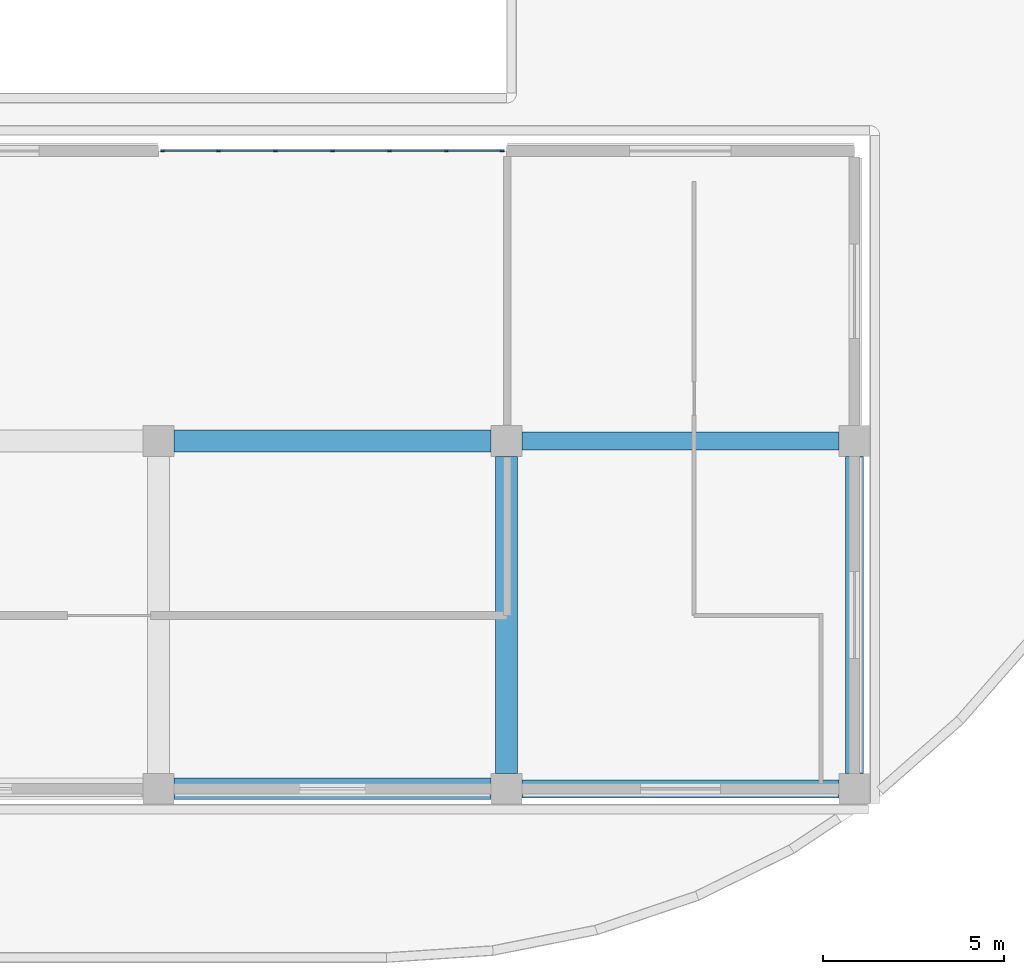
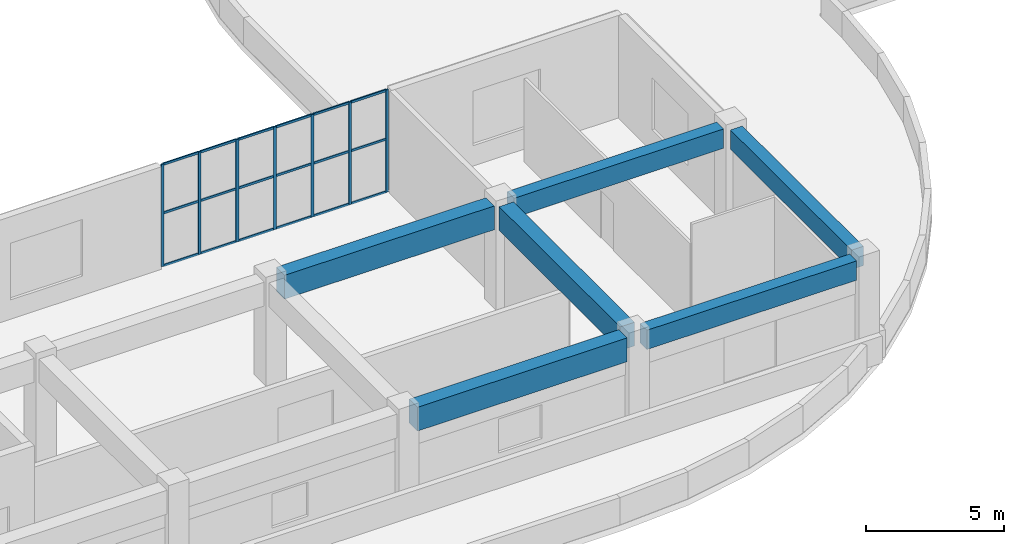
# One storey, part 16 of 67: 25 members, 6 beams, 1 element without a shape of its own.
"""IFC4 building model written with IfcOpenShell, lengths in metres."""

import ifcopenshell
import ifcopenshell.guid

model = None  # the IFC model being written
_history = None  # IfcOwnerHistory: only IFC2X3 demands one
_inside = {}  # id of a spatial element -> (the spatial element, [elements in it])
_under = {}  # id of a project, library or spatial element -> (it, [spatial elements below it])
_declared = {}  # id of a project -> (the project, [libraries it declares])
_typed = {}  # id of a type object -> (the type object, [elements of that type])
_made_of = {}  # id of a material, layer set ... -> (it, [elements and type objects made of it])


def new_model(schema):
    """Start an empty IFC model of exactly this schema.

    Asked for "IFC4X3", IfcOpenShell would pick the latest addendum, in which some entities
    have other attributes; the version numbers below select the first issue.
    IFC2X3 requires an IfcOwnerHistory on every rooted entity: one is made here for all.
    """
    global model, _history
    if schema == "IFC4X3":
        model = ifcopenshell.file(schema_version=(4, 3, 0, 0))
    else:
        model = ifcopenshell.file(schema=schema)
    _inside.clear()
    _under.clear()
    _declared.clear()
    _typed.clear()
    _made_of.clear()
    _history = None
    if model.schema == "IFC2X3":
        org = make("IfcOrganization", Name="unknown")
        user = make(
            "IfcPersonAndOrganization",
            ThePerson=make("IfcPerson", FamilyName="unknown"),
            TheOrganization=org,
        )
        app = make(
            "IfcApplication",
            ApplicationDeveloper=org,
            Version="unknown",
            ApplicationFullName="unknown",
            ApplicationIdentifier="unknown",
        )
        _history = make(
            "IfcOwnerHistory",
            OwningUser=user,
            OwningApplication=app,
            ChangeAction="ADDED",
            CreationDate=0,
        )
    return model


def make(cls, **values):
    """One entity of the class cls with the attributes given. An attribute that is None is left unset."""
    return model.create_entity(
        cls, **{name: value for name, value in values.items() if value is not None}
    )


def rooted(cls, **values):
    """An entity with a GlobalId (a new one), such as an element, a storey or a relation."""
    return make(cls, GlobalId=ifcopenshell.guid.new(), OwnerHistory=_history, **values)


def si_unit(unit_type, name, prefix=None):
    """IfcSIUnit, for example si_unit("LENGTHUNIT", "METRE", prefix="MILLI")."""
    return make("IfcSIUnit", UnitType=unit_type, Prefix=prefix, Name=name)


def assignment(units):
    """IfcUnitAssignment: the units of a project."""
    return None if units is None else make("IfcUnitAssignment", Units=units)


def point(xyz):
    """IfcCartesianPoint."""
    return None if xyz is None else make("IfcCartesianPoint", Coordinates=xyz)


def direction(xyz):
    """IfcDirection."""
    return None if xyz is None else make("IfcDirection", DirectionRatios=xyz)


def frame(location, z_axis=None, x_axis=None):
    """IfcAxis2Placement3D, a coordinate frame: its origin and axes. An axis left out is left unset."""
    return make(
        "IfcAxis2Placement3D",
        Location=point(location),
        Axis=direction(z_axis),
        RefDirection=direction(x_axis),
    )


def frame_2d(location, x_axis=None):
    """IfcAxis2Placement2D, a coordinate frame in the plane: its origin and x axis."""
    return make(
        "IfcAxis2Placement2D", Location=point(location), RefDirection=direction(x_axis)
    )


def origin():
    """The frame at (0, 0, 0) with its axes left unset."""
    return frame((0.0, 0.0, 0.0))


def origin_2d():
    """The frame at (0, 0) in the plane with its x axis left unset."""
    return frame_2d((0.0, 0.0))


def place(relative_to, where):
    """IfcLocalPlacement: puts the frame where relative to a parent placement (None: the world)."""
    return make(
        "IfcLocalPlacement", PlacementRelTo=relative_to, RelativePlacement=where
    )


def context(
    kind, dimensions, precision=None, world=None, true_north=None, identifier=None
):
    """IfcGeometricRepresentationContext, for example the 3D "Model" context."""
    return make(
        "IfcGeometricRepresentationContext",
        ContextIdentifier=identifier,
        ContextType=kind,
        CoordinateSpaceDimension=dimensions,
        Precision=precision,
        WorldCoordinateSystem=world,
        TrueNorth=true_north,
    )


def subcontext(parent, identifier, kind, view, scale=None):
    """IfcGeometricRepresentationSubContext, for example "Body" below "Model"."""
    return make(
        "IfcGeometricRepresentationSubContext",
        ContextIdentifier=identifier,
        ContextType=kind,
        ParentContext=parent,
        TargetScale=scale,
        TargetView=view,
    )


def project(units=None, contexts=None):
    """IfcProject with its units and contexts."""
    return rooted(
        "IfcProject",
        Name="project",
        RepresentationContexts=contexts,
        UnitsInContext=assignment(units),
    )


def spatial(cls, under=None, at=None, **own):
    """A site, building, storey or space (cls), placed at a placement, below another one or the project."""
    s = rooted(cls, ObjectPlacement=at, **own)
    if under is not None:
        _under.setdefault(under.id(), (under, []))[1].append(s)
    return s


def profile(cls, at=None, kind="AREA", **sizes):
    """A parametric profile (cls). Its sizes go by their IFC names, for example OverallWidth=200.0."""
    return make(cls, ProfileType=kind, Position=at, **sizes)


def rectangle(**sizes):
    """IfcRectangleProfileDef."""
    return profile("IfcRectangleProfileDef", **sizes)


def extrude(swept, where, along, depth):
    """IfcExtrudedAreaSolid: the profile swept, set in the frame where, extruded along a direction by depth."""
    return make(
        "IfcExtrudedAreaSolid",
        SweptArea=swept,
        Position=where,
        ExtrudedDirection=direction(along),
        Depth=depth,
    )


def shape(context_of_items, identifier, shape_type, items):
    """IfcShapeRepresentation: the items that make up one representation, for example the "Body"."""
    return make(
        "IfcShapeRepresentation",
        ContextOfItems=context_of_items,
        RepresentationIdentifier=identifier,
        RepresentationType=shape_type,
        Items=items,
    )


def material(Name=None, Category=None):
    """IfcMaterial."""
    return make("IfcMaterial", Name=Name, Category=Category)


def layer(
    of_material, thickness, ventilated=None, Name=None, Category=None, Priority=None
):
    """IfcMaterialLayer: one layer of a wall or slab, of a material (None: an air gap)."""
    return make(
        "IfcMaterialLayer",
        Material=of_material,
        LayerThickness=thickness,
        IsVentilated=ventilated,
        Name=Name,
        Category=Category,
        Priority=Priority,
    )


def layer_set(layers, Name=None):
    """IfcMaterialLayerSet."""
    return make("IfcMaterialLayerSet", MaterialLayers=layers, LayerSetName=Name)


def material_profile(
    of_material, cross_section, Name=None, Category=None, Priority=None
):
    """IfcMaterialProfile: a cross section and its material."""
    return make(
        "IfcMaterialProfile",
        Name=Name,
        Material=of_material,
        Profile=cross_section,
        Priority=Priority,
        Category=Category,
    )


def profile_set(profiles, Name=None, composite=None):
    """IfcMaterialProfileSet."""
    return make(
        "IfcMaterialProfileSet",
        Name=Name,
        MaterialProfiles=profiles,
        CompositeProfile=composite,
    )


def made_of(thing, what):
    """Note that an element or type object is made of a material, layer set ...; save() writes the relation."""
    if what is not None:
        _made_of.setdefault(what.id(), (what, []))[1].append(thing)
    return thing


def type_object(cls, material=None, **own):
    """A type object (cls), such as IfcWallType, which elements share."""
    return made_of(rooted(cls, **own), material)


def element(
    cls,
    number,
    at=None,
    inside=None,
    cuts=None,
    type_object=None,
    material=None,
    context=None,
    identifier="Body",
    shape_type=None,
    held_by="IfcProductDefinitionShape",
    body=None,
    shapes=None,
    **own,
):
    """One element of the class cls, such as IfcWall. Its Tag is "e" and its number.

    at: its placement. inside: the storey or other place that contains it. cuts: it is an
    opening in that element (IfcRelVoidsElement). A single representation is given by context,
    identifier, shape_type and body (its items); several are given by shapes. held_by: the class
    of the entity that holds the representations. save() writes the other relations.
    """
    e = rooted(cls, Tag="e%d" % number, ObjectPlacement=at, **own)
    if body is not None:
        shapes = [shape(context, identifier, shape_type, body)]
    if shapes is not None:
        e.Representation = make(held_by, Representations=shapes)
    if inside is not None:
        _inside.setdefault(inside.id(), (inside, []))[1].append(e)
    if cuts is not None:
        rooted(
            "IfcRelVoidsElement", RelatingBuildingElement=cuts, RelatedOpeningElement=e
        )
    if type_object is not None:
        _typed.setdefault(type_object.id(), (type_object, []))[1].append(e)
    return made_of(e, material)


def aggregate(whole, parts):
    """IfcRelAggregates: a whole, such as a stair, and the parts it consists of."""
    return rooted("IfcRelAggregates", RelatingObject=whole, RelatedObjects=parts)


def save(model, path):
    """Write the relations noted so far, then the file.

    IfcRelAggregates (storeys below a building ...), IfcRelContainedInSpatialStructure (elements
    in a storey), IfcRelDefinesByType, IfcRelAssociatesMaterial and IfcRelDeclares: one each for
    every whole, place, type object, material and project.
    """
    for whole, parts in _under.values():
        aggregate(whole, parts)
    for where, things in _inside.values():
        rooted(
            "IfcRelContainedInSpatialStructure",
            RelatedElements=things,
            RelatingStructure=where,
        )
    for kind, things in _typed.values():
        rooted("IfcRelDefinesByType", RelatedObjects=things, RelatingType=kind)
    for what, things in _made_of.values():
        rooted("IfcRelAssociatesMaterial", RelatedObjects=things, RelatingMaterial=what)
    for by, libraries in _declared.values():
        rooted("IfcRelDeclares", RelatingContext=by, RelatedDefinitions=libraries)
    model.write(path)


model = new_model("IFC4")

# Units and contexts
model_context = context("Model", 3, precision=1e-05, world=origin(), true_north=direction((0.0, 1.0)))
body_context = subcontext(model_context, "Body", "Model", "MODEL_VIEW")
ifc_project = project(units=[si_unit("LENGTHUNIT", "METRE"), si_unit("AREAUNIT", "SQUARE_METRE"), si_unit("VOLUMEUNIT", "CUBIC_METRE"), si_unit("PLANEANGLEUNIT", "RADIAN"), si_unit("MASSUNIT", "GRAM", prefix="KILO")], contexts=[model_context])

# Site, building, storey
site_placement = place(None, origin())
site = spatial("IfcSite", under=ifc_project, at=site_placement, CompositionType="ELEMENT")
building_placement = place(site_placement, origin())
building = spatial("IfcBuilding", under=site, at=building_placement, Name="Cendralis Terraced Arcade", CompositionType="ELEMENT")
storey_placement = place(building_placement, frame((0.0, 0.0, 15.0)))
storey = spatial("IfcBuildingStorey", under=building, at=storey_placement, Name="L03", CompositionType="ELEMENT", Elevation=15.0)

# Beams
ifc_material_1 = material(Name="Concrete f'c 35 MPa", Category="concrete")
ifc_material_profile_1 = material_profile(ifc_material_1, rectangle(XDim=0.5, YDim=0.85009765625, at=origin_2d()), Name="RC-BM-500x850", Category="LoadBearing")
ifc_profile_set_1 = profile_set([ifc_material_profile_1], Name="Concrete f'c 35 MPa")
beam_type_1 = type_object("IfcBeamType", Name="BM-500x850", PredefinedType="JOIST", material=ifc_profile_set_1)
for number, where, z_axis, x_axis, name in (
    (1, (48.425048828125, 69.60009765625, 4.10009765625), (1.0, 0.0, 0.0), (0.0, 1.0, 0.0), "Terrace Support Girder TER-L04-V3-1"),
    (2, (48.425048828125, 79.199951171875, 4.10009765625), (1.0, 0.0, 0.0), (0.0, 1.0, 0.0), "Terrace Support Girder TER-L04-V3-2"),
    (3, (57.60009765625, 70.02490234375, 4.10009765625), (0.0, 1.0, 0.0), (-1.0, 0.0, 0.0), "Terrace Support Girder TER-L04-V3-4"),
):
    element("IfcBeam", number, at=place(storey_placement, frame(where, z_axis=z_axis, x_axis=x_axis)), inside=storey, type_object=beam_type_1, Name=name, PredefinedType="JOIST", context=body_context, shape_type="SweptSolid", body=[
        extrude(rectangle(XDim=0.5, YDim=0.85009765625, at=origin_2d()), origin(), (0.0, 0.0, 1.0), 8.75),
    ])
ifc_material_profile_2 = material_profile(ifc_material_1, rectangle(XDim=0.60009765625, YDim=1.050048828125, at=origin_2d()), Name="RC-BM-600x1050", Category="LoadBearing")
ifc_profile_set_2 = profile_set([ifc_material_profile_2], Name="Concrete f'c 35 MPa")
beam_type_2 = type_object("IfcBeamType", Name="BM-600x1050", PredefinedType="JOIST", material=ifc_profile_set_2)
for number, where, z_axis, x_axis, name in (
    (4, (38.824951171875, 69.60009765625, 3.9951171875), (1.0, 0.0, 0.0), (0.0, 1.0, 0.0), "Reinforced Concrete Frame Beam BM-X-L04-H-5_6"),
    (5, (38.824951171875, 79.199951171875, 3.9951171875), (1.0, 0.0, 0.0), (0.0, 1.0, 0.0), "Reinforced Concrete Frame Beam BM-X-L04-J-5_6"),
    (6, (48.0, 70.02490234375, 3.9951171875), (0.0, 1.0, 0.0), (-1.0, 0.0, 0.0), "Reinforced Concrete Frame Beam BM-Y-L04-6-H_J"),
):
    element("IfcBeam", number, at=place(storey_placement, frame(where, z_axis=z_axis, x_axis=x_axis)), inside=storey, type_object=beam_type_2, Name=name, PredefinedType="JOIST", context=body_context, shape_type="SweptSolid", body=[
        extrude(rectangle(XDim=0.60009765625, YDim=1.050048828125, at=origin_2d()), origin(), (0.0, 0.0, 1.0), 8.75),
    ])

# Curtain wall, members
ifc_material_2 = material(Name="Anodised aluminium EN AW-6063 T6", Category="aluminium")
ifc_layer = layer(ifc_material_2, 0.1201171875, Name="CW-STORE-B")
ifc_layer_set = layer_set([ifc_layer], Name="Anodised aluminium EN AW-6063 T6")
curtain_wall_type = type_object("IfcCurtainWallType", Name="CW-STORE-B", PredefinedType="USERDEFINED", material=ifc_layer_set)
curtain_wall_placement = place(storey_placement, origin())
curtain_wall = element("IfcCurtainWall", 7, at=curtain_wall_placement, inside=storey, type_object=curtain_wall_type, Name="Exterior Storefront Glazing CW-L03-0311", ObjectType="STOREFRONT GLAZING", PredefinedType="USERDEFINED")
ifc_material_profile_3 = material_profile(ifc_material_2, rectangle(XDim=0.054931640625, YDim=0.1201171875, at=origin_2d()), Name="ALU-MUL-55x120")
ifc_profile_set_3 = profile_set([ifc_material_profile_3], Name="Anodised aluminium EN AW-6063 T6")
member_type_1 = type_object("IfcMemberType", Name="CW-STORE-B-MUL", PredefinedType="MULLION", material=ifc_profile_set_3)
member_1_placement = place(storey_placement, frame((38.517578125, 87.199951171875, 0.0), z_axis=(0.0, 0.0, 1.0), x_axis=(0.0, 1.0, 0.0)))
member_1 = element("IfcMember", 8, at=member_1_placement, type_object=member_type_1, Name="CW-S2 mullion 1", PredefinedType="MULLION", context=body_context, shape_type="SweptSolid", body=[
    extrude(rectangle(XDim=0.054931640625, YDim=0.1201171875, at=origin_2d()), origin(), (0.0, 0.0, 1.0), 4.52001953125),
])
member_2_placement = place(storey_placement, frame((40.06005859375, 87.199951171875, 0.0), z_axis=(0.0, 0.0, 1.0), x_axis=(0.0, 1.0, 0.0)))
member_2 = element("IfcMember", 9, at=member_2_placement, type_object=member_type_1, Name="CW-S2 mullion 2", PredefinedType="MULLION", context=body_context, shape_type="SweptSolid", body=[
    extrude(rectangle(XDim=0.054931640625, YDim=0.1201171875, at=origin_2d()), origin(), (0.0, 0.0, 1.0), 4.52001953125),
])
member_3_placement = place(storey_placement, frame((41.6298828125, 87.199951171875, 0.0), z_axis=(0.0, 0.0, 1.0), x_axis=(0.0, 1.0, 0.0)))
member_3 = element("IfcMember", 10, at=member_3_placement, type_object=member_type_1, Name="CW-S2 mullion 3", PredefinedType="MULLION", context=body_context, shape_type="SweptSolid", body=[
    extrude(rectangle(XDim=0.054931640625, YDim=0.1201171875, at=origin_2d()), origin(), (0.0, 0.0, 1.0), 4.52001953125),
])
member_4_placement = place(storey_placement, frame((43.199951171875, 87.199951171875, 0.0), z_axis=(0.0, 0.0, 1.0), x_axis=(0.0, 1.0, 0.0)))
member_4 = element("IfcMember", 11, at=member_4_placement, type_object=member_type_1, Name="CW-S2 mullion 4", PredefinedType="MULLION", context=body_context, shape_type="SweptSolid", body=[
    extrude(rectangle(XDim=0.054931640625, YDim=0.1201171875, at=origin_2d()), origin(), (0.0, 0.0, 1.0), 4.52001953125),
])
member_5_placement = place(storey_placement, frame((44.77001953125, 87.199951171875, 0.0), z_axis=(0.0, 0.0, 1.0), x_axis=(0.0, 1.0, 0.0)))
member_5 = element("IfcMember", 12, at=member_5_placement, type_object=member_type_1, Name="CW-S2 mullion 5", PredefinedType="MULLION", context=body_context, shape_type="SweptSolid", body=[
    extrude(rectangle(XDim=0.054931640625, YDim=0.1201171875, at=origin_2d()), origin(), (0.0, 0.0, 1.0), 4.52001953125),
])
member_6_placement = place(storey_placement, frame((46.340087890625, 87.199951171875, 0.0), z_axis=(0.0, 0.0, 1.0), x_axis=(0.0, 1.0, 0.0)))
member_6 = element("IfcMember", 13, at=member_6_placement, type_object=member_type_1, Name="CW-S2 mullion 6", PredefinedType="MULLION", context=body_context, shape_type="SweptSolid", body=[
    extrude(rectangle(XDim=0.054931640625, YDim=0.1201171875, at=origin_2d()), origin(), (0.0, 0.0, 1.0), 4.52001953125),
])
member_7_placement = place(storey_placement, frame((47.882568359375, 87.199951171875, 0.0), z_axis=(0.0, 0.0, 1.0), x_axis=(0.0, 1.0, 0.0)))
member_7 = element("IfcMember", 14, at=member_7_placement, type_object=member_type_1, Name="CW-S2 mullion 7", PredefinedType="MULLION", context=body_context, shape_type="SweptSolid", body=[
    extrude(rectangle(XDim=0.054931640625, YDim=0.1201171875, at=origin_2d()), origin(), (0.0, 0.0, 1.0), 4.52001953125),
])
ifc_material_profile_4 = material_profile(ifc_material_2, rectangle(XDim=0.054931640625, YDim=0.10009765625, at=origin_2d()), Name="ALU-TRN-55x100")
ifc_profile_set_4 = profile_set([ifc_material_profile_4], Name="Anodised aluminium EN AW-6063 T6")
member_type_2 = type_object("IfcMemberType", Name="CW-STORE-B-TRN", PredefinedType="USERDEFINED", material=ifc_profile_set_4)
member_8_placement = place(storey_placement, frame((38.544921875, 87.199951171875, 0.027587890625), z_axis=(1.0, 0.0, 0.0), x_axis=(0.0, 1.0, 0.0)))
member_8 = element("IfcMember", 15, at=member_8_placement, type_object=member_type_2, Name="CW-S2 transom 1.1", ObjectType="TRANSOM", PredefinedType="USERDEFINED", context=body_context, shape_type="SweptSolid", body=[
    extrude(rectangle(XDim=0.054931640625, YDim=0.10009765625, at=origin_2d()), origin(), (0.0, 0.0, 1.0), 1.487548828125),
])
member_9_placement = place(storey_placement, frame((38.544921875, 87.199951171875, 2.350341796875), z_axis=(1.0, 0.0, 0.0), x_axis=(0.0, 1.0, 0.0)))
member_9 = element("IfcMember", 16, at=member_9_placement, type_object=member_type_2, Name="CW-S2 transom 1.2", ObjectType="TRANSOM", PredefinedType="USERDEFINED", context=body_context, shape_type="SweptSolid", body=[
    extrude(rectangle(XDim=0.054931640625, YDim=0.10009765625, at=origin_2d()), origin(), (0.0, 0.0, 1.0), 1.487548828125),
])
member_10_placement = place(storey_placement, frame((38.544921875, 87.199951171875, 4.492431640625), z_axis=(1.0, 0.0, 0.0), x_axis=(0.0, 1.0, 0.0)))
member_10 = element("IfcMember", 17, at=member_10_placement, type_object=member_type_2, Name="CW-S2 transom 1.3", ObjectType="TRANSOM", PredefinedType="USERDEFINED", context=body_context, shape_type="SweptSolid", body=[
    extrude(rectangle(XDim=0.054931640625, YDim=0.10009765625, at=origin_2d()), origin(), (0.0, 0.0, 1.0), 1.487548828125),
])
member_11_placement = place(storey_placement, frame((40.08740234375, 87.199951171875, 0.027587890625), z_axis=(1.0, 0.0, 0.0), x_axis=(0.0, 1.0, 0.0)))
member_11 = element("IfcMember", 18, at=member_11_placement, type_object=member_type_2, Name="CW-S2 transom 2.1", ObjectType="TRANSOM", PredefinedType="USERDEFINED", context=body_context, shape_type="SweptSolid", body=[
    extrude(rectangle(XDim=0.054931640625, YDim=0.10009765625, at=origin_2d()), origin(), (0.0, 0.0, 1.0), 1.51513671875),
])
member_12_placement = place(storey_placement, frame((40.08740234375, 87.199951171875, 2.350341796875), z_axis=(1.0, 0.0, 0.0), x_axis=(0.0, 1.0, 0.0)))
member_12 = element("IfcMember", 19, at=member_12_placement, type_object=member_type_2, Name="CW-S2 transom 2.2", ObjectType="TRANSOM", PredefinedType="USERDEFINED", context=body_context, shape_type="SweptSolid", body=[
    extrude(rectangle(XDim=0.054931640625, YDim=0.10009765625, at=origin_2d()), origin(), (0.0, 0.0, 1.0), 1.51513671875),
])
member_13_placement = place(storey_placement, frame((40.08740234375, 87.199951171875, 4.492431640625), z_axis=(1.0, 0.0, 0.0), x_axis=(0.0, 1.0, 0.0)))
member_13 = element("IfcMember", 20, at=member_13_placement, type_object=member_type_2, Name="CW-S2 transom 2.3", ObjectType="TRANSOM", PredefinedType="USERDEFINED", context=body_context, shape_type="SweptSolid", body=[
    extrude(rectangle(XDim=0.054931640625, YDim=0.10009765625, at=origin_2d()), origin(), (0.0, 0.0, 1.0), 1.51513671875),
])
member_14_placement = place(storey_placement, frame((41.657470703125, 87.199951171875, 0.027587890625), z_axis=(1.0, 0.0, 0.0), x_axis=(0.0, 1.0, 0.0)))
member_14 = element("IfcMember", 21, at=member_14_placement, type_object=member_type_2, Name="CW-S2 transom 3.1", ObjectType="TRANSOM", PredefinedType="USERDEFINED", context=body_context, shape_type="SweptSolid", body=[
    extrude(rectangle(XDim=0.054931640625, YDim=0.10009765625, at=origin_2d()), origin(), (0.0, 0.0, 1.0), 1.51513671875),
])
member_15_placement = place(storey_placement, frame((41.657470703125, 87.199951171875, 2.350341796875), z_axis=(1.0, 0.0, 0.0), x_axis=(0.0, 1.0, 0.0)))
member_15 = element("IfcMember", 22, at=member_15_placement, type_object=member_type_2, Name="CW-S2 transom 3.2", ObjectType="TRANSOM", PredefinedType="USERDEFINED", context=body_context, shape_type="SweptSolid", body=[
    extrude(rectangle(XDim=0.054931640625, YDim=0.10009765625, at=origin_2d()), origin(), (0.0, 0.0, 1.0), 1.51513671875),
])
member_16_placement = place(storey_placement, frame((41.657470703125, 87.199951171875, 4.492431640625), z_axis=(1.0, 0.0, 0.0), x_axis=(0.0, 1.0, 0.0)))
member_16 = element("IfcMember", 23, at=member_16_placement, type_object=member_type_2, Name="CW-S2 transom 3.3", ObjectType="TRANSOM", PredefinedType="USERDEFINED", context=body_context, shape_type="SweptSolid", body=[
    extrude(rectangle(XDim=0.054931640625, YDim=0.10009765625, at=origin_2d()), origin(), (0.0, 0.0, 1.0), 1.51513671875),
])
member_17_placement = place(storey_placement, frame((43.2275390625, 87.199951171875, 0.027587890625), z_axis=(1.0, 0.0, 0.0), x_axis=(0.0, 1.0, 0.0)))
member_17 = element("IfcMember", 24, at=member_17_placement, type_object=member_type_2, Name="CW-S2 transom 4.1", ObjectType="TRANSOM", PredefinedType="USERDEFINED", context=body_context, shape_type="SweptSolid", body=[
    extrude(rectangle(XDim=0.054931640625, YDim=0.10009765625, at=origin_2d()), origin(), (0.0, 0.0, 1.0), 1.514892578125),
])
member_18_placement = place(storey_placement, frame((43.2275390625, 87.199951171875, 2.350341796875), z_axis=(1.0, 0.0, 0.0), x_axis=(0.0, 1.0, 0.0)))
member_18 = element("IfcMember", 25, at=member_18_placement, type_object=member_type_2, Name="CW-S2 transom 4.2", ObjectType="TRANSOM", PredefinedType="USERDEFINED", context=body_context, shape_type="SweptSolid", body=[
    extrude(rectangle(XDim=0.054931640625, YDim=0.10009765625, at=origin_2d()), origin(), (0.0, 0.0, 1.0), 1.514892578125),
])
member_19_placement = place(storey_placement, frame((43.2275390625, 87.199951171875, 4.492431640625), z_axis=(1.0, 0.0, 0.0), x_axis=(0.0, 1.0, 0.0)))
member_19 = element("IfcMember", 26, at=member_19_placement, type_object=member_type_2, Name="CW-S2 transom 4.3", ObjectType="TRANSOM", PredefinedType="USERDEFINED", context=body_context, shape_type="SweptSolid", body=[
    extrude(rectangle(XDim=0.054931640625, YDim=0.10009765625, at=origin_2d()), origin(), (0.0, 0.0, 1.0), 1.514892578125),
])
member_20_placement = place(storey_placement, frame((44.797607421875, 87.199951171875, 0.027587890625), z_axis=(1.0, 0.0, 0.0), x_axis=(0.0, 1.0, 0.0)))
member_20 = element("IfcMember", 27, at=member_20_placement, type_object=member_type_2, Name="CW-S2 transom 5.1", ObjectType="TRANSOM", PredefinedType="USERDEFINED", context=body_context, shape_type="SweptSolid", body=[
    extrude(rectangle(XDim=0.054931640625, YDim=0.10009765625, at=origin_2d()), origin(), (0.0, 0.0, 1.0), 1.514892578125),
])
member_21_placement = place(storey_placement, frame((44.797607421875, 87.199951171875, 2.350341796875), z_axis=(1.0, 0.0, 0.0), x_axis=(0.0, 1.0, 0.0)))
member_21 = element("IfcMember", 28, at=member_21_placement, type_object=member_type_2, Name="CW-S2 transom 5.2", ObjectType="TRANSOM", PredefinedType="USERDEFINED", context=body_context, shape_type="SweptSolid", body=[
    extrude(rectangle(XDim=0.054931640625, YDim=0.10009765625, at=origin_2d()), origin(), (0.0, 0.0, 1.0), 1.514892578125),
])
member_22_placement = place(storey_placement, frame((44.797607421875, 87.199951171875, 4.492431640625), z_axis=(1.0, 0.0, 0.0), x_axis=(0.0, 1.0, 0.0)))
member_22 = element("IfcMember", 29, at=member_22_placement, type_object=member_type_2, Name="CW-S2 transom 5.3", ObjectType="TRANSOM", PredefinedType="USERDEFINED", context=body_context, shape_type="SweptSolid", body=[
    extrude(rectangle(XDim=0.054931640625, YDim=0.10009765625, at=origin_2d()), origin(), (0.0, 0.0, 1.0), 1.514892578125),
])
member_23_placement = place(storey_placement, frame((46.367431640625, 87.199951171875, 0.027587890625), z_axis=(1.0, 0.0, 0.0), x_axis=(0.0, 1.0, 0.0)))
member_23 = element("IfcMember", 30, at=member_23_placement, type_object=member_type_2, Name="CW-S2 transom 6.1", ObjectType="TRANSOM", PredefinedType="USERDEFINED", context=body_context, shape_type="SweptSolid", body=[
    extrude(rectangle(XDim=0.054931640625, YDim=0.10009765625, at=origin_2d()), origin(), (0.0, 0.0, 1.0), 1.487548828125),
])
member_24_placement = place(storey_placement, frame((46.367431640625, 87.199951171875, 2.350341796875), z_axis=(1.0, 0.0, 0.0), x_axis=(0.0, 1.0, 0.0)))
member_24 = element("IfcMember", 31, at=member_24_placement, type_object=member_type_2, Name="CW-S2 transom 6.2", ObjectType="TRANSOM", PredefinedType="USERDEFINED", context=body_context, shape_type="SweptSolid", body=[
    extrude(rectangle(XDim=0.054931640625, YDim=0.10009765625, at=origin_2d()), origin(), (0.0, 0.0, 1.0), 1.487548828125),
])
member_25_placement = place(storey_placement, frame((46.367431640625, 87.199951171875, 4.492431640625), z_axis=(1.0, 0.0, 0.0), x_axis=(0.0, 1.0, 0.0)))
member_25 = element("IfcMember", 32, at=member_25_placement, type_object=member_type_2, Name="CW-S2 transom 6.3", ObjectType="TRANSOM", PredefinedType="USERDEFINED", context=body_context, shape_type="SweptSolid", body=[
    extrude(rectangle(XDim=0.054931640625, YDim=0.10009765625, at=origin_2d()), origin(), (0.0, 0.0, 1.0), 1.487548828125),
])
aggregate(curtain_wall, [member_1, member_2, member_3, member_4, member_5, member_6, member_7, member_8, member_9, member_10, member_11, member_12, member_13, member_14, member_15, member_16, member_17, member_18, member_19, member_20, member_21, member_22, member_23, member_24, member_25])

save(model, "model.ifc")
